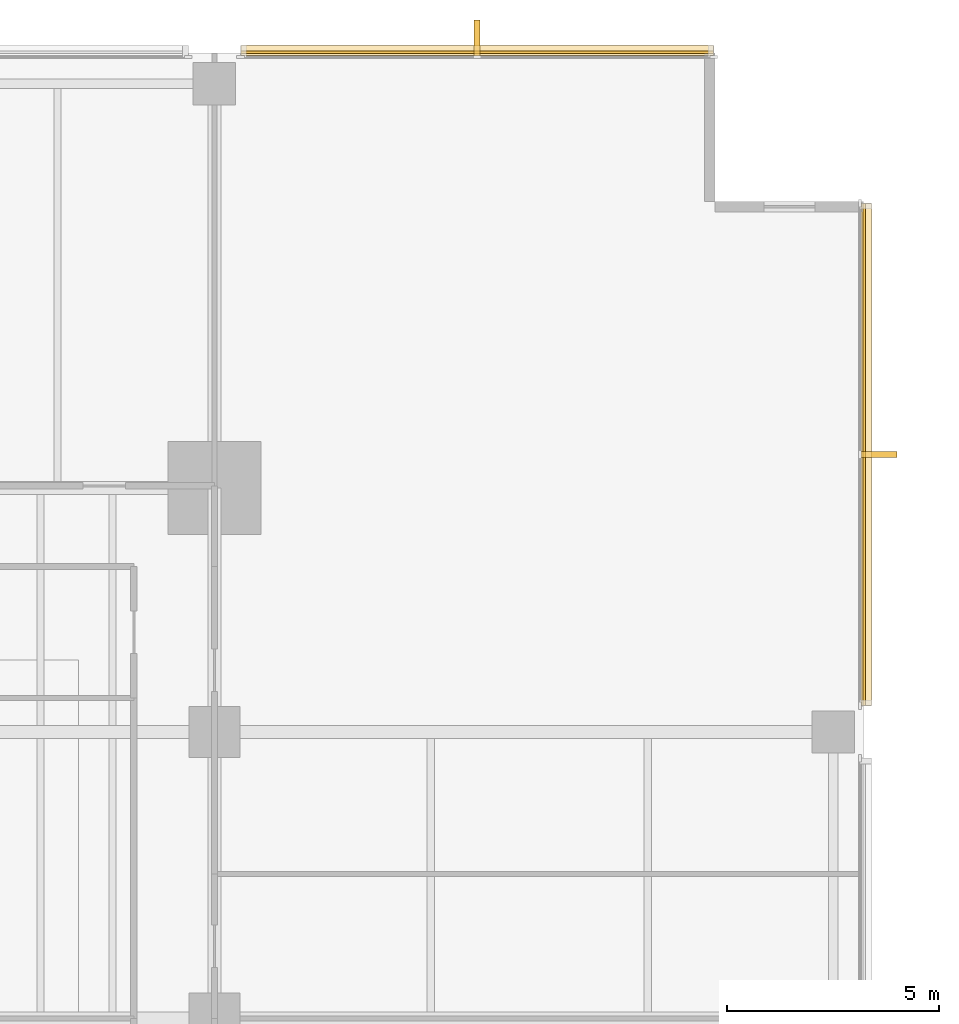
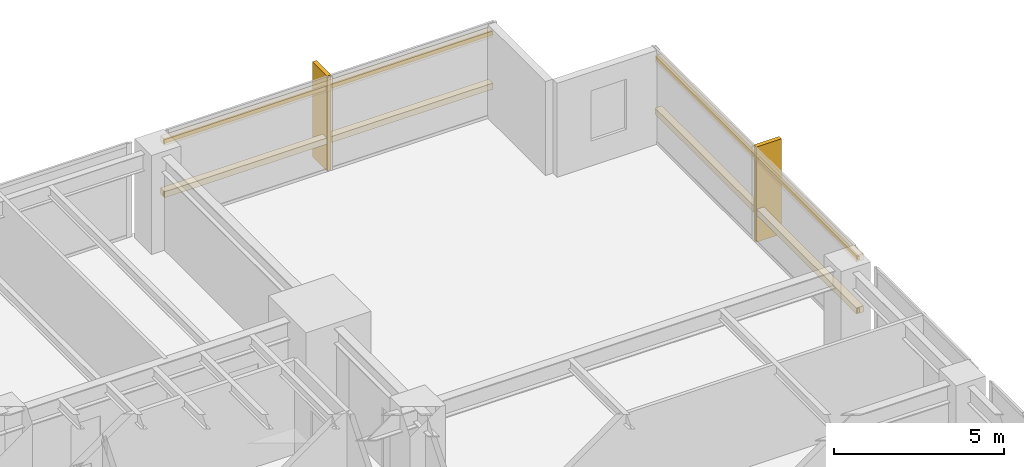
# One storey, part 15 of 15: 6 coverings, 4 shading devices.
"""IFC4 building model written with IfcOpenShell, lengths in metres."""

import ifcopenshell
import ifcopenshell.guid

model = None  # the IFC model being written
_history = None  # IfcOwnerHistory: only IFC2X3 demands one
_inside = {}  # id of a spatial element -> (the spatial element, [elements in it])
_under = {}  # id of a project, library or spatial element -> (it, [spatial elements below it])
_declared = {}  # id of a project -> (the project, [libraries it declares])
_typed = {}  # id of a type object -> (the type object, [elements of that type])
_made_of = {}  # id of a material, layer set ... -> (it, [elements and type objects made of it])


def new_model(schema):
    """Start an empty IFC model of exactly this schema.

    Asked for "IFC4X3", IfcOpenShell would pick the latest addendum, in which some entities
    have other attributes; the version numbers below select the first issue.
    IFC2X3 requires an IfcOwnerHistory on every rooted entity: one is made here for all.
    """
    global model, _history
    if schema == "IFC4X3":
        model = ifcopenshell.file(schema_version=(4, 3, 0, 0))
    else:
        model = ifcopenshell.file(schema=schema)
    _inside.clear()
    _under.clear()
    _declared.clear()
    _typed.clear()
    _made_of.clear()
    _history = None
    if model.schema == "IFC2X3":
        org = make("IfcOrganization", Name="unknown")
        user = make(
            "IfcPersonAndOrganization",
            ThePerson=make("IfcPerson", FamilyName="unknown"),
            TheOrganization=org,
        )
        app = make(
            "IfcApplication",
            ApplicationDeveloper=org,
            Version="unknown",
            ApplicationFullName="unknown",
            ApplicationIdentifier="unknown",
        )
        _history = make(
            "IfcOwnerHistory",
            OwningUser=user,
            OwningApplication=app,
            ChangeAction="ADDED",
            CreationDate=0,
        )
    return model


def make(cls, **values):
    """One entity of the class cls with the attributes given. An attribute that is None is left unset."""
    return model.create_entity(
        cls, **{name: value for name, value in values.items() if value is not None}
    )


def rooted(cls, **values):
    """An entity with a GlobalId (a new one), such as an element, a storey or a relation."""
    return make(cls, GlobalId=ifcopenshell.guid.new(), OwnerHistory=_history, **values)


def si_unit(unit_type, name, prefix=None):
    """IfcSIUnit, for example si_unit("LENGTHUNIT", "METRE", prefix="MILLI")."""
    return make("IfcSIUnit", UnitType=unit_type, Prefix=prefix, Name=name)


def assignment(units):
    """IfcUnitAssignment: the units of a project."""
    return None if units is None else make("IfcUnitAssignment", Units=units)


def point(xyz):
    """IfcCartesianPoint."""
    return None if xyz is None else make("IfcCartesianPoint", Coordinates=xyz)


def direction(xyz):
    """IfcDirection."""
    return None if xyz is None else make("IfcDirection", DirectionRatios=xyz)


def frame(location, z_axis=None, x_axis=None):
    """IfcAxis2Placement3D, a coordinate frame: its origin and axes. An axis left out is left unset."""
    return make(
        "IfcAxis2Placement3D",
        Location=point(location),
        Axis=direction(z_axis),
        RefDirection=direction(x_axis),
    )


def frame_2d(location, x_axis=None):
    """IfcAxis2Placement2D, a coordinate frame in the plane: its origin and x axis."""
    return make(
        "IfcAxis2Placement2D", Location=point(location), RefDirection=direction(x_axis)
    )


def origin():
    """The frame at (0, 0, 0) with its axes left unset."""
    return frame((0.0, 0.0, 0.0))


def origin_2d():
    """The frame at (0, 0) in the plane with its x axis left unset."""
    return frame_2d((0.0, 0.0))


def place(relative_to, where):
    """IfcLocalPlacement: puts the frame where relative to a parent placement (None: the world)."""
    return make(
        "IfcLocalPlacement", PlacementRelTo=relative_to, RelativePlacement=where
    )


def context(
    kind, dimensions, precision=None, world=None, true_north=None, identifier=None
):
    """IfcGeometricRepresentationContext, for example the 3D "Model" context."""
    return make(
        "IfcGeometricRepresentationContext",
        ContextIdentifier=identifier,
        ContextType=kind,
        CoordinateSpaceDimension=dimensions,
        Precision=precision,
        WorldCoordinateSystem=world,
        TrueNorth=true_north,
    )


def subcontext(parent, identifier, kind, view, scale=None):
    """IfcGeometricRepresentationSubContext, for example "Body" below "Model"."""
    return make(
        "IfcGeometricRepresentationSubContext",
        ContextIdentifier=identifier,
        ContextType=kind,
        ParentContext=parent,
        TargetScale=scale,
        TargetView=view,
    )


def project(units=None, contexts=None):
    """IfcProject with its units and contexts."""
    return rooted(
        "IfcProject",
        Name="project",
        RepresentationContexts=contexts,
        UnitsInContext=assignment(units),
    )


def spatial(cls, under=None, at=None, **own):
    """A site, building, storey or space (cls), placed at a placement, below another one or the project."""
    s = rooted(cls, ObjectPlacement=at, **own)
    if under is not None:
        _under.setdefault(under.id(), (under, []))[1].append(s)
    return s


def polyline(points):
    """IfcPolyline through the points."""
    return make("IfcPolyline", Points=[point(p) for p in points])


def profile(cls, at=None, kind="AREA", **sizes):
    """A parametric profile (cls). Its sizes go by their IFC names, for example OverallWidth=200.0."""
    return make(cls, ProfileType=kind, Position=at, **sizes)


def rectangle(**sizes):
    """IfcRectangleProfileDef."""
    return profile("IfcRectangleProfileDef", **sizes)


def outline(outer, holes=None, kind="AREA"):
    """IfcArbitraryClosedProfileDef: a profile drawn as a closed curve; with holes, ...WithVoids."""
    if holes is None:
        return make("IfcArbitraryClosedProfileDef", ProfileType=kind, OuterCurve=outer)
    return make(
        "IfcArbitraryProfileDefWithVoids",
        ProfileType=kind,
        OuterCurve=outer,
        InnerCurves=holes,
    )


def extrude(swept, where, along, depth):
    """IfcExtrudedAreaSolid: the profile swept, set in the frame where, extruded along a direction by depth."""
    return make(
        "IfcExtrudedAreaSolid",
        SweptArea=swept,
        Position=where,
        ExtrudedDirection=direction(along),
        Depth=depth,
    )


def shape(context_of_items, identifier, shape_type, items):
    """IfcShapeRepresentation: the items that make up one representation, for example the "Body"."""
    return make(
        "IfcShapeRepresentation",
        ContextOfItems=context_of_items,
        RepresentationIdentifier=identifier,
        RepresentationType=shape_type,
        Items=items,
    )


def material(Name=None, Category=None):
    """IfcMaterial."""
    return make("IfcMaterial", Name=Name, Category=Category)


def layer(
    of_material, thickness, ventilated=None, Name=None, Category=None, Priority=None
):
    """IfcMaterialLayer: one layer of a wall or slab, of a material (None: an air gap)."""
    return make(
        "IfcMaterialLayer",
        Material=of_material,
        LayerThickness=thickness,
        IsVentilated=ventilated,
        Name=Name,
        Category=Category,
        Priority=Priority,
    )


def layer_set(layers, Name=None):
    """IfcMaterialLayerSet."""
    return make("IfcMaterialLayerSet", MaterialLayers=layers, LayerSetName=Name)


def material_profile(
    of_material, cross_section, Name=None, Category=None, Priority=None
):
    """IfcMaterialProfile: a cross section and its material."""
    return make(
        "IfcMaterialProfile",
        Name=Name,
        Material=of_material,
        Profile=cross_section,
        Priority=Priority,
        Category=Category,
    )


def profile_set(profiles, Name=None, composite=None):
    """IfcMaterialProfileSet."""
    return make(
        "IfcMaterialProfileSet",
        Name=Name,
        MaterialProfiles=profiles,
        CompositeProfile=composite,
    )


def made_of(thing, what):
    """Note that an element or type object is made of a material, layer set ...; save() writes the relation."""
    if what is not None:
        _made_of.setdefault(what.id(), (what, []))[1].append(thing)
    return thing


def type_object(cls, material=None, **own):
    """A type object (cls), such as IfcWallType, which elements share."""
    return made_of(rooted(cls, **own), material)


def element(
    cls,
    number,
    at=None,
    inside=None,
    cuts=None,
    type_object=None,
    material=None,
    context=None,
    identifier="Body",
    shape_type=None,
    held_by="IfcProductDefinitionShape",
    body=None,
    shapes=None,
    **own,
):
    """One element of the class cls, such as IfcWall. Its Tag is "e" and its number.

    at: its placement. inside: the storey or other place that contains it. cuts: it is an
    opening in that element (IfcRelVoidsElement). A single representation is given by context,
    identifier, shape_type and body (its items); several are given by shapes. held_by: the class
    of the entity that holds the representations. save() writes the other relations.
    """
    e = rooted(cls, Tag="e%d" % number, ObjectPlacement=at, **own)
    if body is not None:
        shapes = [shape(context, identifier, shape_type, body)]
    if shapes is not None:
        e.Representation = make(held_by, Representations=shapes)
    if inside is not None:
        _inside.setdefault(inside.id(), (inside, []))[1].append(e)
    if cuts is not None:
        rooted(
            "IfcRelVoidsElement", RelatingBuildingElement=cuts, RelatedOpeningElement=e
        )
    if type_object is not None:
        _typed.setdefault(type_object.id(), (type_object, []))[1].append(e)
    return made_of(e, material)


def aggregate(whole, parts):
    """IfcRelAggregates: a whole, such as a stair, and the parts it consists of."""
    return rooted("IfcRelAggregates", RelatingObject=whole, RelatedObjects=parts)


def save(model, path):
    """Write the relations noted so far, then the file.

    IfcRelAggregates (storeys below a building ...), IfcRelContainedInSpatialStructure (elements
    in a storey), IfcRelDefinesByType, IfcRelAssociatesMaterial and IfcRelDeclares: one each for
    every whole, place, type object, material and project.
    """
    for whole, parts in _under.values():
        aggregate(whole, parts)
    for where, things in _inside.values():
        rooted(
            "IfcRelContainedInSpatialStructure",
            RelatedElements=things,
            RelatingStructure=where,
        )
    for kind, things in _typed.values():
        rooted("IfcRelDefinesByType", RelatedObjects=things, RelatingType=kind)
    for what, things in _made_of.values():
        rooted("IfcRelAssociatesMaterial", RelatedObjects=things, RelatingMaterial=what)
    for by, libraries in _declared.values():
        rooted("IfcRelDeclares", RelatingContext=by, RelatedDefinitions=libraries)
    model.write(path)


model = new_model("IFC4")

# Units and contexts
model_context = context("Model", 3, precision=1e-05, world=origin(), true_north=direction((0.0, 1.0)))
body_context = subcontext(model_context, "Body", "Model", "MODEL_VIEW")
ifc_project = project(units=[si_unit("LENGTHUNIT", "METRE"), si_unit("AREAUNIT", "SQUARE_METRE"), si_unit("VOLUMEUNIT", "CUBIC_METRE"), si_unit("PLANEANGLEUNIT", "RADIAN"), si_unit("MASSUNIT", "GRAM", prefix="KILO")], contexts=[model_context])

# Site, building, storey
site_placement = place(None, origin())
site = spatial("IfcSite", under=ifc_project, at=site_placement, CompositionType="ELEMENT")
building_placement = place(site_placement, origin())
building = spatial("IfcBuilding", under=site, at=building_placement, Name="Kinhvarn Gate Tower", CompositionType="ELEMENT")
storey_placement = place(building_placement, frame((0.0, 0.0, 64.64990234375)))
storey = spatial("IfcBuildingStorey", under=building, at=storey_placement, Name="L16", CompositionType="ELEMENT", Elevation=64.64990234375)

# Coverings
ifc_material = material(Name="Fired architectural terracotta", Category="masonry")
ifc_layer_1 = layer(ifc_material, 0.239990234375)
ifc_layer_set_1 = layer_set([ifc_layer_1], Name="Fired architectural terracotta")
covering_type_1 = type_object("IfcCoveringType", Name="COV-BAG-220", PredefinedType="CLADDING", material=ifc_layer_set_1)
for number, where, name in (
    (1, (0.0, 0.0, 0.940185546875), "Terracotta Horizontal Sunscreen Band TBG-220 (L16)"),
    (2, (0.0, 0.0, 2.81005859375), "Terracotta Horizontal Sunscreen Band TBG-220 (L16)"),
):
    element("IfcCovering", number, at=place(storey_placement, frame(where)), inside=storey, type_object=covering_type_1, Name=name, PredefinedType="CLADDING", context=body_context, shape_type="SweptSolid", body=[
        extrude(outline(polyline([(49.9599609375, 47.93994140625), (38.820068359375, 47.93994140625), (38.820068359375, 48.179931640625), (49.9599609375, 48.179931640625), (49.9599609375, 47.93994140625)])), origin(), (0.0, 0.0, 1.0), 0.219970703125),
    ])
for number, where, name in (
    (3, (0.0, 0.0, 0.940185546875), "Terracotta Horizontal Sunscreen Band TBG-220 (L16)"),
    (4, (0.0, 0.0, 2.81005859375), "Terracotta Horizontal Sunscreen Band TBG-220 (L16)"),
):
    element("IfcCovering", number, at=place(storey_placement, frame(where)), inside=storey, type_object=covering_type_1, Name=name, PredefinedType="CLADDING", context=body_context, shape_type="SweptSolid", body=[
        extrude(outline(polyline([(53.43994140625, 32.6201171875), (53.43994140625, 44.4599609375), (53.679931640625, 44.4599609375), (53.679931640625, 32.6201171875), (53.43994140625, 32.6201171875)])), origin(), (0.0, 0.0, 1.0), 0.219970703125),
    ])
ifc_layer_2 = layer(ifc_material, 0.139892578125)
ifc_layer_set_2 = layer_set([ifc_layer_2], Name="Fired architectural terracotta")
covering_type_2 = type_object("IfcCoveringType", Name="COV-FIN-850", PredefinedType="CLADDING", material=ifc_layer_set_2)
covering_1_placement = place(storey_placement, frame((0.0, 0.0, -0.02001953125)))
element("IfcCovering", 5, at=covering_1_placement, inside=storey, type_object=covering_type_2, Name="Vertical Terracotta Expressive Fin TFN-850 (L16)", PredefinedType="CLADDING", context=body_context, shape_type="SweptSolid", body=[
    extrude(outline(polyline([(44.4599609375, 47.929931640625), (44.320068359375, 47.929931640625), (44.320068359375, 48.780029296875), (44.4599609375, 48.780029296875), (44.4599609375, 47.929931640625)])), origin(), (0.0, 0.0, 1.0), 3.41015625),
])
covering_2_placement = place(storey_placement, frame((0.0, 0.0, -0.02001953125)))
element("IfcCovering", 6, at=covering_2_placement, inside=storey, type_object=covering_type_2, Name="Vertical Terracotta Expressive Fin TFN-850 (L16)", PredefinedType="CLADDING", context=body_context, shape_type="SweptSolid", body=[
    extrude(outline(polyline([(53.429931640625, 38.469970703125), (53.429931640625, 38.610107421875), (54.280029296875, 38.610107421875), (54.280029296875, 38.469970703125), (53.429931640625, 38.469970703125)])), origin(), (0.0, 0.0, 1.0), 3.41015625),
])

# Shading devices
ifc_material_profile = material_profile(ifc_material, rectangle(XDim=0.06005859375, YDim=0.139892578125, at=origin_2d()), Name="TC 60x140")
ifc_profile_set = profile_set([ifc_material_profile], Name="Fired architectural terracotta")
shading_device_type = type_object("IfcShadingDeviceType", Name="SHD-BAG-180", PredefinedType="USERDEFINED", material=ifc_profile_set)
for number, where, z_axis, x_axis, name in (
    (7, (49.9599609375, 48.014892578125, 1.050048828125), (-1.0, 0.0, 0.0), (0.0, -1.0, 0.0), "Fired Terracotta Baguette Screen Rod 60x140 mm (L16)"),
    (8, (49.9599609375, 48.014892578125, 2.920166015625), (-1.0, 0.0, 0.0), (0.0, -1.0, 0.0), "Fired Terracotta Baguette Screen Rod 60x140 mm (L16)"),
):
    element("IfcShadingDevice", number, at=place(storey_placement, frame(where, z_axis=z_axis, x_axis=x_axis)), inside=storey, type_object=shading_device_type, Name=name, ObjectType="BAGUETTE", PredefinedType="USERDEFINED", context=body_context, shape_type="SweptSolid", body=[
        extrude(rectangle(XDim=0.06005859375, YDim=0.139892578125, at=origin_2d()), origin(), (0.0, 0.0, 1.0), 11.139892578125),
    ])
for number, where, z_axis, x_axis, name in (
    (9, (53.514892578125, 32.6201171875, 1.050048828125), (0.0, 1.0, 0.0), (-1.0, 0.0, 0.0), "Fired Terracotta Baguette Screen Rod 60x140 mm (L16)"),
    (10, (53.514892578125, 32.6201171875, 2.920166015625), (0.0, 1.0, 0.0), (-1.0, 0.0, 0.0), "Fired Terracotta Baguette Screen Rod 60x140 mm (L16)"),
):
    element("IfcShadingDevice", number, at=place(storey_placement, frame(where, z_axis=z_axis, x_axis=x_axis)), inside=storey, type_object=shading_device_type, Name=name, ObjectType="BAGUETTE", PredefinedType="USERDEFINED", context=body_context, shape_type="SweptSolid", body=[
        extrude(rectangle(XDim=0.06005859375, YDim=0.139892578125, at=origin_2d()), origin(), (0.0, 0.0, 1.0), 11.83984375),
    ])

save(model, "model.ifc")
